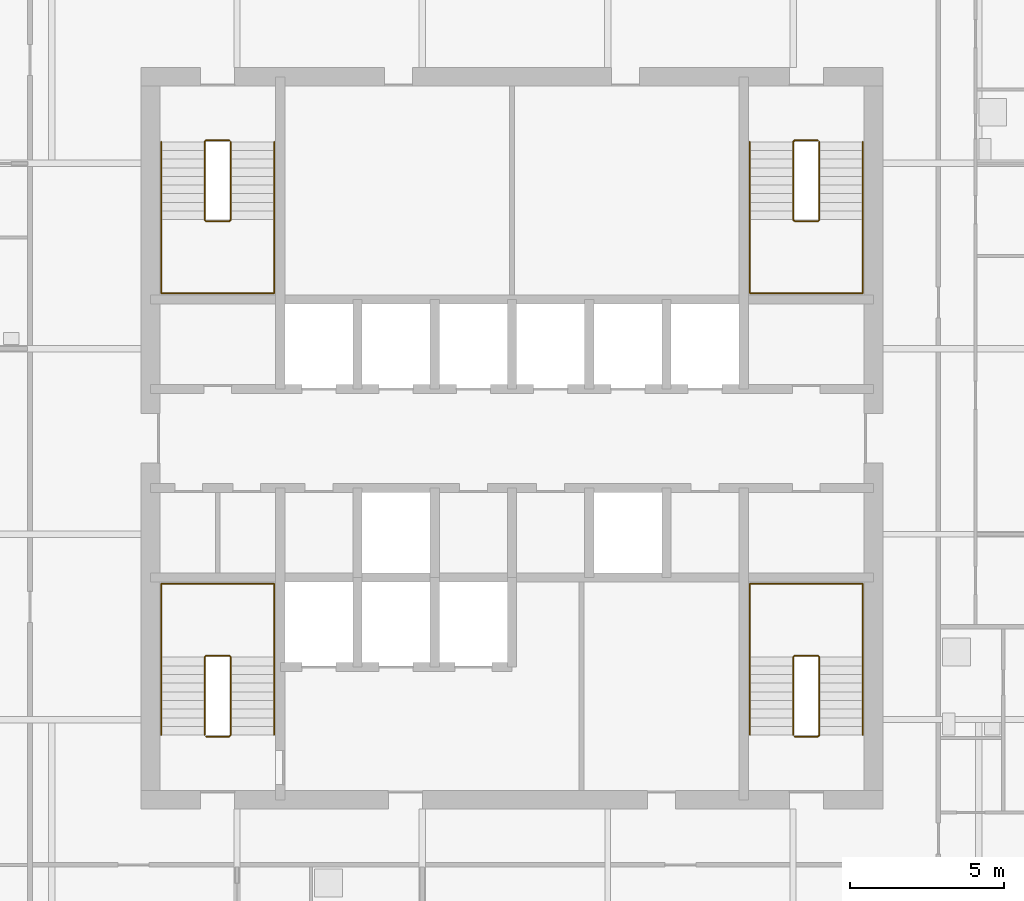
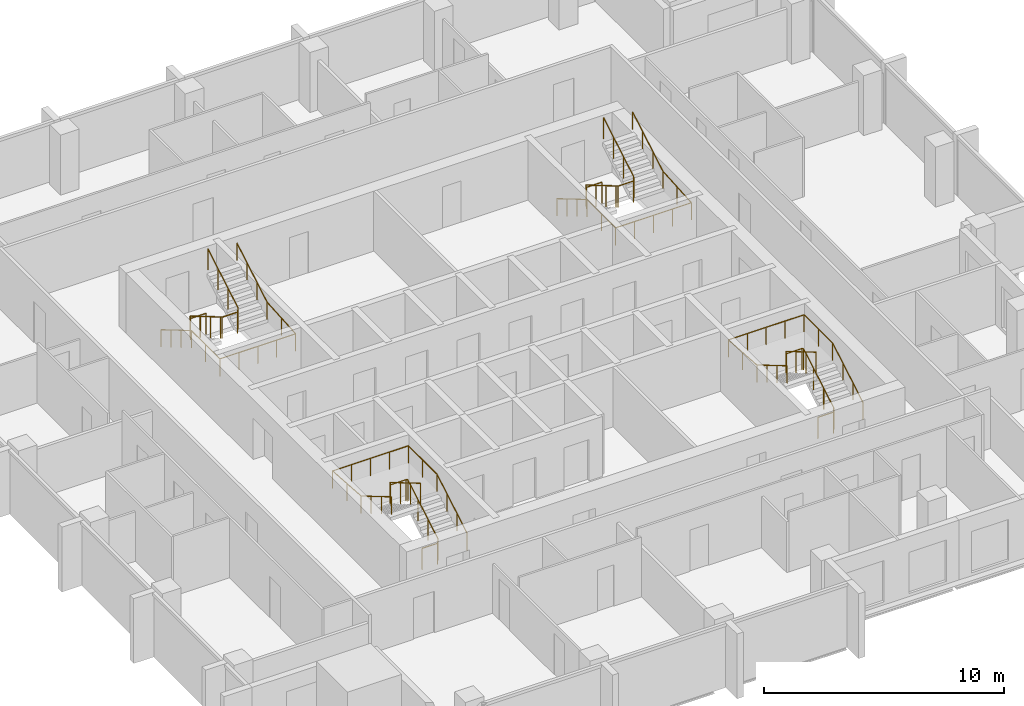
# One storey, part 8 of 9: 8 railings.
"""IFC4 building model written with IfcOpenShell, lengths in metres."""

import ifcopenshell
import ifcopenshell.guid

model = None  # the IFC model being written
_history = None  # IfcOwnerHistory: only IFC2X3 demands one
_inside = {}  # id of a spatial element -> (the spatial element, [elements in it])
_under = {}  # id of a project, library or spatial element -> (it, [spatial elements below it])
_declared = {}  # id of a project -> (the project, [libraries it declares])
_typed = {}  # id of a type object -> (the type object, [elements of that type])
_made_of = {}  # id of a material, layer set ... -> (it, [elements and type objects made of it])


def new_model(schema):
    """Start an empty IFC model of exactly this schema.

    Asked for "IFC4X3", IfcOpenShell would pick the latest addendum, in which some entities
    have other attributes; the version numbers below select the first issue.
    IFC2X3 requires an IfcOwnerHistory on every rooted entity: one is made here for all.
    """
    global model, _history
    if schema == "IFC4X3":
        model = ifcopenshell.file(schema_version=(4, 3, 0, 0))
    else:
        model = ifcopenshell.file(schema=schema)
    _inside.clear()
    _under.clear()
    _declared.clear()
    _typed.clear()
    _made_of.clear()
    _history = None
    if model.schema == "IFC2X3":
        org = make("IfcOrganization", Name="unknown")
        user = make(
            "IfcPersonAndOrganization",
            ThePerson=make("IfcPerson", FamilyName="unknown"),
            TheOrganization=org,
        )
        app = make(
            "IfcApplication",
            ApplicationDeveloper=org,
            Version="unknown",
            ApplicationFullName="unknown",
            ApplicationIdentifier="unknown",
        )
        _history = make(
            "IfcOwnerHistory",
            OwningUser=user,
            OwningApplication=app,
            ChangeAction="ADDED",
            CreationDate=0,
        )
    return model


def make(cls, **values):
    """One entity of the class cls with the attributes given. An attribute that is None is left unset."""
    return model.create_entity(
        cls, **{name: value for name, value in values.items() if value is not None}
    )


def rooted(cls, **values):
    """An entity with a GlobalId (a new one), such as an element, a storey or a relation."""
    return make(cls, GlobalId=ifcopenshell.guid.new(), OwnerHistory=_history, **values)


def si_unit(unit_type, name, prefix=None):
    """IfcSIUnit, for example si_unit("LENGTHUNIT", "METRE", prefix="MILLI")."""
    return make("IfcSIUnit", UnitType=unit_type, Prefix=prefix, Name=name)


def assignment(units):
    """IfcUnitAssignment: the units of a project."""
    return None if units is None else make("IfcUnitAssignment", Units=units)


def point(xyz):
    """IfcCartesianPoint."""
    return None if xyz is None else make("IfcCartesianPoint", Coordinates=xyz)


def direction(xyz):
    """IfcDirection."""
    return None if xyz is None else make("IfcDirection", DirectionRatios=xyz)


def frame(location, z_axis=None, x_axis=None):
    """IfcAxis2Placement3D, a coordinate frame: its origin and axes. An axis left out is left unset."""
    return make(
        "IfcAxis2Placement3D",
        Location=point(location),
        Axis=direction(z_axis),
        RefDirection=direction(x_axis),
    )


def frame_2d(location, x_axis=None):
    """IfcAxis2Placement2D, a coordinate frame in the plane: its origin and x axis."""
    return make(
        "IfcAxis2Placement2D", Location=point(location), RefDirection=direction(x_axis)
    )


def origin():
    """The frame at (0, 0, 0) with its axes left unset."""
    return frame((0.0, 0.0, 0.0))


def origin_2d():
    """The frame at (0, 0) in the plane with its x axis left unset."""
    return frame_2d((0.0, 0.0))


def place(relative_to, where):
    """IfcLocalPlacement: puts the frame where relative to a parent placement (None: the world)."""
    return make(
        "IfcLocalPlacement", PlacementRelTo=relative_to, RelativePlacement=where
    )


def context(
    kind, dimensions, precision=None, world=None, true_north=None, identifier=None
):
    """IfcGeometricRepresentationContext, for example the 3D "Model" context."""
    return make(
        "IfcGeometricRepresentationContext",
        ContextIdentifier=identifier,
        ContextType=kind,
        CoordinateSpaceDimension=dimensions,
        Precision=precision,
        WorldCoordinateSystem=world,
        TrueNorth=true_north,
    )


def subcontext(parent, identifier, kind, view, scale=None):
    """IfcGeometricRepresentationSubContext, for example "Body" below "Model"."""
    return make(
        "IfcGeometricRepresentationSubContext",
        ContextIdentifier=identifier,
        ContextType=kind,
        ParentContext=parent,
        TargetScale=scale,
        TargetView=view,
    )


def project(units=None, contexts=None):
    """IfcProject with its units and contexts."""
    return rooted(
        "IfcProject",
        Name="project",
        RepresentationContexts=contexts,
        UnitsInContext=assignment(units),
    )


def spatial(cls, under=None, at=None, **own):
    """A site, building, storey or space (cls), placed at a placement, below another one or the project."""
    s = rooted(cls, ObjectPlacement=at, **own)
    if under is not None:
        _under.setdefault(under.id(), (under, []))[1].append(s)
    return s


def profile(cls, at=None, kind="AREA", **sizes):
    """A parametric profile (cls). Its sizes go by their IFC names, for example OverallWidth=200.0."""
    return make(cls, ProfileType=kind, Position=at, **sizes)


def circle(**sizes):
    """IfcCircleProfileDef."""
    return profile("IfcCircleProfileDef", **sizes)


def extrude(swept, where, along, depth):
    """IfcExtrudedAreaSolid: the profile swept, set in the frame where, extruded along a direction by depth."""
    return make(
        "IfcExtrudedAreaSolid",
        SweptArea=swept,
        Position=where,
        ExtrudedDirection=direction(along),
        Depth=depth,
    )


def shape(context_of_items, identifier, shape_type, items):
    """IfcShapeRepresentation: the items that make up one representation, for example the "Body"."""
    return make(
        "IfcShapeRepresentation",
        ContextOfItems=context_of_items,
        RepresentationIdentifier=identifier,
        RepresentationType=shape_type,
        Items=items,
    )


def material(Name=None, Category=None):
    """IfcMaterial."""
    return make("IfcMaterial", Name=Name, Category=Category)


def made_of(thing, what):
    """Note that an element or type object is made of a material, layer set ...; save() writes the relation."""
    if what is not None:
        _made_of.setdefault(what.id(), (what, []))[1].append(thing)
    return thing


def type_object(cls, material=None, **own):
    """A type object (cls), such as IfcWallType, which elements share."""
    return made_of(rooted(cls, **own), material)


def element(
    cls,
    number,
    at=None,
    inside=None,
    cuts=None,
    type_object=None,
    material=None,
    context=None,
    identifier="Body",
    shape_type=None,
    held_by="IfcProductDefinitionShape",
    body=None,
    shapes=None,
    **own,
):
    """One element of the class cls, such as IfcWall. Its Tag is "e" and its number.

    at: its placement. inside: the storey or other place that contains it. cuts: it is an
    opening in that element (IfcRelVoidsElement). A single representation is given by context,
    identifier, shape_type and body (its items); several are given by shapes. held_by: the class
    of the entity that holds the representations. save() writes the other relations.
    """
    e = rooted(cls, Tag="e%d" % number, ObjectPlacement=at, **own)
    if body is not None:
        shapes = [shape(context, identifier, shape_type, body)]
    if shapes is not None:
        e.Representation = make(held_by, Representations=shapes)
    if inside is not None:
        _inside.setdefault(inside.id(), (inside, []))[1].append(e)
    if cuts is not None:
        rooted(
            "IfcRelVoidsElement", RelatingBuildingElement=cuts, RelatedOpeningElement=e
        )
    if type_object is not None:
        _typed.setdefault(type_object.id(), (type_object, []))[1].append(e)
    return made_of(e, material)


def aggregate(whole, parts):
    """IfcRelAggregates: a whole, such as a stair, and the parts it consists of."""
    return rooted("IfcRelAggregates", RelatingObject=whole, RelatedObjects=parts)


def save(model, path):
    """Write the relations noted so far, then the file.

    IfcRelAggregates (storeys below a building ...), IfcRelContainedInSpatialStructure (elements
    in a storey), IfcRelDefinesByType, IfcRelAssociatesMaterial and IfcRelDeclares: one each for
    every whole, place, type object, material and project.
    """
    for whole, parts in _under.values():
        aggregate(whole, parts)
    for where, things in _inside.values():
        rooted(
            "IfcRelContainedInSpatialStructure",
            RelatedElements=things,
            RelatingStructure=where,
        )
    for kind, things in _typed.values():
        rooted("IfcRelDefinesByType", RelatedObjects=things, RelatingType=kind)
    for what, things in _made_of.values():
        rooted("IfcRelAssociatesMaterial", RelatedObjects=things, RelatingMaterial=what)
    for by, libraries in _declared.values():
        rooted("IfcRelDeclares", RelatingContext=by, RelatedDefinitions=libraries)
    model.write(path)


model = new_model("IFC4")

# Units and contexts
model_context = context("Model", 3, precision=1e-05, world=origin(), true_north=direction((0.0, 1.0)))
body_context = subcontext(model_context, "Body", "Model", "MODEL_VIEW")
ifc_project = project(units=[si_unit("LENGTHUNIT", "METRE"), si_unit("AREAUNIT", "SQUARE_METRE"), si_unit("VOLUMEUNIT", "CUBIC_METRE"), si_unit("PLANEANGLEUNIT", "RADIAN"), si_unit("MASSUNIT", "GRAM", prefix="KILO")], contexts=[model_context])

# Site, building, storey
site_placement = place(None, origin())
site = spatial("IfcSite", under=ifc_project, at=site_placement, CompositionType="ELEMENT")
building_placement = place(site_placement, origin())
building = spatial("IfcBuilding", under=site, at=building_placement, Name="Amberfall Residences", CompositionType="ELEMENT")
storey_placement = place(building_placement, frame((0.0, 0.0, 210.10009765625)))
storey = spatial("IfcBuildingStorey", under=building, at=storey_placement, Name="L56", CompositionType="ELEMENT", Elevation=210.10009765625)

# Railings
ifc_material = material(Name="Stainless steel 316", Category="steel")
railing_type_1 = type_object("IfcRailingType", Name="Stair guard 1100", PredefinedType="GUARDRAIL", material=ifc_material)
railing_1_placement = place(storey_placement, frame((64.60009765625, 35.85009765625, 0.0)))
element("IfcRailing", 1, at=railing_1_placement, inside=storey, type_object=railing_type_1, Name="L56 stair 1 guard", PredefinedType="GUARDRAIL", context=body_context, shape_type="SweptSolid", body=[
    extrude(circle(Radius=0.02392578125, at=origin_2d()), frame((0.0, 0.0, 1.076171875), z_axis=(1.0, 0.0, 0.0), x_axis=(0.0, 1.0, 0.0)), (0.0, 0.0, 1.0), 0.75),
    extrude(circle(Radius=0.02392578125, at=origin_2d()), frame((0.75, 0.0, 1.076171875), z_axis=(0.277903107438, 0.277903107438, 0.919532340787), x_axis=(-0.707106781187, 0.707106781187, 0.0)), (0.0, 0.0, 1.0), 0.17919921875),
    extrude(circle(Radius=0.02392578125, at=origin_2d()), frame((0.7998046875, 0.0498046875, 1.24072265625), z_axis=(0.0, 0.86152411907, 0.507716645641), x_axis=(-1.0, 0.0, 0.0)), (0.0, 0.0, 1.0), 2.925048828125),
    extrude(circle(Radius=0.02392578125, at=origin_2d()), frame((0.7998046875, 2.56982421875, 2.72607421875), z_axis=(-0.705375805398, 0.708833529934, 0.0), x_axis=(-0.708833529934, -0.705375805398, 0.0)), (0.0, 0.0, 1.0), 0.070556640625),
    extrude(circle(Radius=0.02392578125, at=origin_2d()), frame((0.75, 2.619873046875, 2.72607421875), z_axis=(-1.0, 0.0, 0.0), x_axis=(0.0, -1.0, 0.0)), (0.0, 0.0, 1.0), 0.75),
    extrude(circle(Radius=0.02392578125, at=origin_2d()), frame((0.0, 2.619873046875, 2.72607421875), z_axis=(-0.278705021027, -0.278705021027, 0.919046801044), x_axis=(0.707106781187, -0.707106781187, 0.0)), (0.0, 0.0, 1.0), 0.1796875),
    extrude(circle(Radius=0.02392578125, at=origin_2d()), frame((-0.050048828125, 2.56982421875, 2.89111328125), z_axis=(0.0, -0.861560626758, 0.507654692109), x_axis=(1.0, 0.0, 0.0)), (0.0, 0.0, 1.0), 2.925048828125),
    extrude(circle(Radius=0.02099609375, at=origin_2d()), origin(), (0.0, 0.0, 1.0), 1.052001953125),
    extrude(circle(Radius=0.02099609375, at=origin_2d()), frame((0.75, 0.0, 0.0)), (0.0, 0.0, 1.0), 1.052001953125),
    extrude(circle(Radius=0.02099609375, at=origin_2d()), frame((0.7998046875, 0.0498046875, 0.164794921875)), (0.0, 0.0, 1.0), 1.052001953125),
    extrude(circle(Radius=0.02099609375, at=origin_2d()), frame((0.7998046875, 0.889892578125, 0.659912109375)), (0.0, 0.0, 1.0), 1.052001953125),
    extrude(circle(Radius=0.02099609375, at=origin_2d()), frame((0.7998046875, 1.729736328125, 1.15478515625)), (0.0, 0.0, 1.0), 1.052001953125),
    extrude(circle(Radius=0.02099609375, at=origin_2d()), frame((0.7998046875, 2.56982421875, 1.64990234375)), (0.0, 0.0, 1.0), 1.052001953125),
    extrude(circle(Radius=0.02099609375, at=origin_2d()), frame((0.75, 2.619873046875, 1.64990234375)), (0.0, 0.0, 1.0), 1.052001953125),
    extrude(circle(Radius=0.02099609375, at=origin_2d()), frame((0.0, 2.619873046875, 1.64990234375)), (0.0, 0.0, 1.0), 1.052001953125),
    extrude(circle(Radius=0.02099609375, at=origin_2d()), frame((-0.050048828125, 2.56982421875, 1.81494140625)), (0.0, 0.0, 1.0), 1.052001953125),
    extrude(circle(Radius=0.02099609375, at=origin_2d()), frame((-0.050048828125, 1.729736328125, 2.309814453125)), (0.0, 0.0, 1.0), 1.052001953125),
    extrude(circle(Radius=0.02099609375, at=origin_2d()), frame((-0.050048828125, 0.889892578125, 2.804931640625)), (0.0, 0.0, 1.0), 1.052001953125),
    extrude(circle(Radius=0.02099609375, at=origin_2d()), frame((-0.050048828125, 0.0498046875, 3.2998046875)), (0.0, 0.0, 1.0), 1.052001953125),
])
railing_2_placement = place(storey_placement, frame((83.64990234375, 35.85009765625, 0.0)))
element("IfcRailing", 2, at=railing_2_placement, inside=storey, type_object=railing_type_1, Name="L56 stair 2 guard", PredefinedType="GUARDRAIL", context=body_context, shape_type="SweptSolid", body=[
    extrude(circle(Radius=0.02392578125, at=origin_2d()), frame((0.0, 0.0, 1.076171875), z_axis=(1.0, 0.0, 0.0), x_axis=(0.0, 1.0, 0.0)), (0.0, 0.0, 1.0), 0.75),
    extrude(circle(Radius=0.02392578125, at=origin_2d()), frame((0.75, 0.0, 1.076171875), z_axis=(0.279159454702, 0.277797701265, 0.919183570361), x_axis=(-0.705375805398, 0.708833529934, 0.0)), (0.0, 0.0, 1.0), 0.17919921875),
    extrude(circle(Radius=0.02392578125, at=origin_2d()), frame((0.800048828125, 0.0498046875, 1.24072265625), z_axis=(0.0, 0.86152411907, 0.507716645641), x_axis=(-1.0, 0.0, 0.0)), (0.0, 0.0, 1.0), 2.925048828125),
    extrude(circle(Radius=0.02392578125, at=origin_2d()), frame((0.800048828125, 2.56982421875, 2.72607421875), z_axis=(-0.707106781187, 0.707106781187, 0.0), x_axis=(-0.707106781187, -0.707106781187, 0.0)), (0.0, 0.0, 1.0), 0.07080078125),
    extrude(circle(Radius=0.02392578125, at=origin_2d()), frame((0.75, 2.619873046875, 2.72607421875), z_axis=(-1.0, 0.0, 0.0), x_axis=(0.0, -1.0, 0.0)), (0.0, 0.0, 1.0), 0.75),
    extrude(circle(Radius=0.02392578125, at=origin_2d()), frame((0.0, 2.619873046875, 2.72607421875), z_axis=(-0.277450376394, -0.278810427259, 0.919394384522), x_axis=(0.708833529934, -0.705375805398, 0.0)), (0.0, 0.0, 1.0), 0.179443359375),
    extrude(circle(Radius=0.02392578125, at=origin_2d()), frame((-0.0498046875, 2.56982421875, 2.89111328125), z_axis=(0.0, -0.861560626758, 0.507654692109), x_axis=(1.0, 0.0, 0.0)), (0.0, 0.0, 1.0), 2.925048828125),
    extrude(circle(Radius=0.02099609375, at=origin_2d()), origin(), (0.0, 0.0, 1.0), 1.052001953125),
    extrude(circle(Radius=0.02099609375, at=origin_2d()), frame((0.75, 0.0, 0.0)), (0.0, 0.0, 1.0), 1.052001953125),
    extrude(circle(Radius=0.02099609375, at=origin_2d()), frame((0.800048828125, 0.0498046875, 0.164794921875)), (0.0, 0.0, 1.0), 1.052001953125),
    extrude(circle(Radius=0.02099609375, at=origin_2d()), frame((0.800048828125, 0.889892578125, 0.659912109375)), (0.0, 0.0, 1.0), 1.052001953125),
    extrude(circle(Radius=0.02099609375, at=origin_2d()), frame((0.800048828125, 1.729736328125, 1.15478515625)), (0.0, 0.0, 1.0), 1.052001953125),
    extrude(circle(Radius=0.02099609375, at=origin_2d()), frame((0.800048828125, 2.56982421875, 1.64990234375)), (0.0, 0.0, 1.0), 1.052001953125),
    extrude(circle(Radius=0.02099609375, at=origin_2d()), frame((0.75, 2.619873046875, 1.64990234375)), (0.0, 0.0, 1.0), 1.052001953125),
    extrude(circle(Radius=0.02099609375, at=origin_2d()), frame((0.0, 2.619873046875, 1.64990234375)), (0.0, 0.0, 1.0), 1.052001953125),
    extrude(circle(Radius=0.02099609375, at=origin_2d()), frame((-0.0498046875, 2.56982421875, 1.81494140625)), (0.0, 0.0, 1.0), 1.052001953125),
    extrude(circle(Radius=0.02099609375, at=origin_2d()), frame((-0.0498046875, 1.729736328125, 2.309814453125)), (0.0, 0.0, 1.0), 1.052001953125),
    extrude(circle(Radius=0.02099609375, at=origin_2d()), frame((-0.0498046875, 0.889892578125, 2.804931640625)), (0.0, 0.0, 1.0), 1.052001953125),
    extrude(circle(Radius=0.02099609375, at=origin_2d()), frame((-0.0498046875, 0.0498046875, 3.2998046875)), (0.0, 0.0, 1.0), 1.052001953125),
])
railing_3_placement = place(storey_placement, frame((84.39990234375, 55.14990234375, 0.0)))
element("IfcRailing", 3, at=railing_3_placement, inside=storey, type_object=railing_type_1, Name="L56 stair 3 guard", PredefinedType="GUARDRAIL", context=body_context, shape_type="SweptSolid", body=[
    extrude(circle(Radius=0.02392578125, at=origin_2d()), frame((0.0, 0.0, 1.076171875), z_axis=(-1.0, 0.0, 0.0), x_axis=(0.0, -1.0, 0.0)), (0.0, 0.0, 1.0), 0.75),
    extrude(circle(Radius=0.02392578125, at=origin_2d()), frame((-0.75, 0.0, 1.076171875), z_axis=(-0.277903107438, -0.277903107438, 0.919532340787), x_axis=(0.707106781187, -0.707106781187, 0.0)), (0.0, 0.0, 1.0), 0.17919921875),
    extrude(circle(Radius=0.02392578125, at=origin_2d()), frame((-0.7998046875, -0.0498046875, 1.24072265625), z_axis=(0.0, -0.86152411907, 0.507716645641), x_axis=(1.0, 0.0, 0.0)), (0.0, 0.0, 1.0), 2.925048828125),
    extrude(circle(Radius=0.02392578125, at=origin_2d()), frame((-0.7998046875, -2.56982421875, 2.72607421875), z_axis=(0.705375805398, -0.708833529934, 0.0), x_axis=(0.708833529934, 0.705375805398, 0.0)), (0.0, 0.0, 1.0), 0.070556640625),
    extrude(circle(Radius=0.02392578125, at=origin_2d()), frame((-0.75, -2.619873046875, 2.72607421875), z_axis=(1.0, 0.0, 0.0), x_axis=(0.0, 1.0, 0.0)), (0.0, 0.0, 1.0), 0.75),
    extrude(circle(Radius=0.02392578125, at=origin_2d()), frame((0.0, -2.619873046875, 2.72607421875), z_axis=(0.278705021027, 0.278705021027, 0.919046801044), x_axis=(-0.707106781187, 0.707106781187, 0.0)), (0.0, 0.0, 1.0), 0.1796875),
    extrude(circle(Radius=0.02392578125, at=origin_2d()), frame((0.050048828125, -2.56982421875, 2.89111328125), z_axis=(0.0, 0.861560626758, 0.507654692109), x_axis=(-1.0, 0.0, 0.0)), (0.0, 0.0, 1.0), 2.925048828125),
    extrude(circle(Radius=0.02099609375, at=origin_2d()), origin(), (0.0, 0.0, 1.0), 1.052001953125),
    extrude(circle(Radius=0.02099609375, at=origin_2d()), frame((-0.75, 0.0, 0.0)), (0.0, 0.0, 1.0), 1.052001953125),
    extrude(circle(Radius=0.02099609375, at=origin_2d()), frame((-0.7998046875, -0.0498046875, 0.164794921875)), (0.0, 0.0, 1.0), 1.052001953125),
    extrude(circle(Radius=0.02099609375, at=origin_2d()), frame((-0.7998046875, -0.889892578125, 0.659912109375)), (0.0, 0.0, 1.0), 1.052001953125),
    extrude(circle(Radius=0.02099609375, at=origin_2d()), frame((-0.7998046875, -1.729736328125, 1.15478515625)), (0.0, 0.0, 1.0), 1.052001953125),
    extrude(circle(Radius=0.02099609375, at=origin_2d()), frame((-0.7998046875, -2.56982421875, 1.64990234375)), (0.0, 0.0, 1.0), 1.052001953125),
    extrude(circle(Radius=0.02099609375, at=origin_2d()), frame((-0.75, -2.619873046875, 1.64990234375)), (0.0, 0.0, 1.0), 1.052001953125),
    extrude(circle(Radius=0.02099609375, at=origin_2d()), frame((0.0, -2.619873046875, 1.64990234375)), (0.0, 0.0, 1.0), 1.052001953125),
    extrude(circle(Radius=0.02099609375, at=origin_2d()), frame((0.050048828125, -2.56982421875, 1.81494140625)), (0.0, 0.0, 1.0), 1.052001953125),
    extrude(circle(Radius=0.02099609375, at=origin_2d()), frame((0.050048828125, -1.729736328125, 2.309814453125)), (0.0, 0.0, 1.0), 1.052001953125),
    extrude(circle(Radius=0.02099609375, at=origin_2d()), frame((0.050048828125, -0.889892578125, 2.804931640625)), (0.0, 0.0, 1.0), 1.052001953125),
    extrude(circle(Radius=0.02099609375, at=origin_2d()), frame((0.050048828125, -0.0498046875, 3.2998046875)), (0.0, 0.0, 1.0), 1.052001953125),
])
railing_4_placement = place(storey_placement, frame((65.35009765625, 55.14990234375, 0.0)))
element("IfcRailing", 4, at=railing_4_placement, inside=storey, type_object=railing_type_1, Name="L56 stair 4 guard", PredefinedType="GUARDRAIL", context=body_context, shape_type="SweptSolid", body=[
    extrude(circle(Radius=0.02392578125, at=origin_2d()), frame((0.0, 0.0, 1.076171875), z_axis=(-1.0, 0.0, 0.0), x_axis=(0.0, -1.0, 0.0)), (0.0, 0.0, 1.0), 0.75),
    extrude(circle(Radius=0.02392578125, at=origin_2d()), frame((-0.75, 0.0, 1.076171875), z_axis=(-0.279159454702, -0.277797701265, 0.919183570361), x_axis=(0.705375805398, -0.708833529934, 0.0)), (0.0, 0.0, 1.0), 0.17919921875),
    extrude(circle(Radius=0.02392578125, at=origin_2d()), frame((-0.800048828125, -0.0498046875, 1.24072265625), z_axis=(0.0, -0.86152411907, 0.507716645641), x_axis=(1.0, 0.0, 0.0)), (0.0, 0.0, 1.0), 2.925048828125),
    extrude(circle(Radius=0.02392578125, at=origin_2d()), frame((-0.800048828125, -2.56982421875, 2.72607421875), z_axis=(0.707106781187, -0.707106781187, 0.0), x_axis=(0.707106781187, 0.707106781187, 0.0)), (0.0, 0.0, 1.0), 0.07080078125),
    extrude(circle(Radius=0.02392578125, at=origin_2d()), frame((-0.75, -2.619873046875, 2.72607421875), z_axis=(1.0, 0.0, 0.0), x_axis=(0.0, 1.0, 0.0)), (0.0, 0.0, 1.0), 0.75),
    extrude(circle(Radius=0.02392578125, at=origin_2d()), frame((0.0, -2.619873046875, 2.72607421875), z_axis=(0.277450376394, 0.278810427259, 0.919394384522), x_axis=(-0.708833529934, 0.705375805398, 0.0)), (0.0, 0.0, 1.0), 0.179443359375),
    extrude(circle(Radius=0.02392578125, at=origin_2d()), frame((0.0498046875, -2.56982421875, 2.89111328125), z_axis=(0.0, 0.861560626758, 0.507654692109), x_axis=(-1.0, 0.0, 0.0)), (0.0, 0.0, 1.0), 2.925048828125),
    extrude(circle(Radius=0.02099609375, at=origin_2d()), origin(), (0.0, 0.0, 1.0), 1.052001953125),
    extrude(circle(Radius=0.02099609375, at=origin_2d()), frame((-0.75, 0.0, 0.0)), (0.0, 0.0, 1.0), 1.052001953125),
    extrude(circle(Radius=0.02099609375, at=origin_2d()), frame((-0.800048828125, -0.0498046875, 0.164794921875)), (0.0, 0.0, 1.0), 1.052001953125),
    extrude(circle(Radius=0.02099609375, at=origin_2d()), frame((-0.800048828125, -0.889892578125, 0.659912109375)), (0.0, 0.0, 1.0), 1.052001953125),
    extrude(circle(Radius=0.02099609375, at=origin_2d()), frame((-0.800048828125, -1.729736328125, 1.15478515625)), (0.0, 0.0, 1.0), 1.052001953125),
    extrude(circle(Radius=0.02099609375, at=origin_2d()), frame((-0.800048828125, -2.56982421875, 1.64990234375)), (0.0, 0.0, 1.0), 1.052001953125),
    extrude(circle(Radius=0.02099609375, at=origin_2d()), frame((-0.75, -2.619873046875, 1.64990234375)), (0.0, 0.0, 1.0), 1.052001953125),
    extrude(circle(Radius=0.02099609375, at=origin_2d()), frame((0.0, -2.619873046875, 1.64990234375)), (0.0, 0.0, 1.0), 1.052001953125),
    extrude(circle(Radius=0.02099609375, at=origin_2d()), frame((0.0498046875, -2.56982421875, 1.81494140625)), (0.0, 0.0, 1.0), 1.052001953125),
    extrude(circle(Radius=0.02099609375, at=origin_2d()), frame((0.0498046875, -1.729736328125, 2.309814453125)), (0.0, 0.0, 1.0), 1.052001953125),
    extrude(circle(Radius=0.02099609375, at=origin_2d()), frame((0.0498046875, -0.889892578125, 2.804931640625)), (0.0, 0.0, 1.0), 1.052001953125),
    extrude(circle(Radius=0.02099609375, at=origin_2d()), frame((0.0498046875, -0.0498046875, 3.2998046875)), (0.0, 0.0, 1.0), 1.052001953125),
])
railing_type_2 = type_object("IfcRailingType", Name="Stair handrail 900", PredefinedType="HANDRAIL", material=ifc_material)
railing_5_placement = place(storey_placement, frame((66.800048828125, 35.89990234375, 0.164794921875)))
element("IfcRailing", 5, at=railing_5_placement, inside=storey, type_object=railing_type_2, Name="L56 stair 1 handrail", PredefinedType="HANDRAIL", context=body_context, shape_type="SweptSolid", body=[
    extrude(circle(Radius=0.02392578125, at=origin_2d()), frame((0.0, 0.0, 0.8759765625), z_axis=(0.0, 0.86152411907, 0.507716645641), x_axis=(-1.0, 0.0, 0.0)), (0.0, 0.0, 1.0), 2.925048828125),
    extrude(circle(Radius=0.02392578125, at=origin_2d()), frame((0.0, 2.52001953125, 2.36083984375), z_axis=(0.0, 1.0, 0.0), x_axis=(-1.0, 0.0, 0.0)), (0.0, 0.0, 1.0), 2.380126953125),
    extrude(circle(Radius=0.02392578125, at=origin_2d()), frame((0.0, 4.900146484375, 2.36083984375), z_axis=(-1.0, 0.0, 0.0), x_axis=(0.0, -1.0, 0.0)), (0.0, 0.0, 1.0), 3.650146484375),
    extrude(circle(Radius=0.02392578125, at=origin_2d()), frame((-3.650146484375, 4.900146484375, 2.36083984375), z_axis=(0.0, -0.997604585917, 0.069174346095), x_axis=(1.0, 0.0, 0.0)), (0.0, 0.0, 1.0), 2.3857421875),
    extrude(circle(Radius=0.02392578125, at=origin_2d()), frame((-3.650146484375, 2.52001953125, 2.52587890625), z_axis=(0.0, -0.861560626758, 0.507654692109), x_axis=(1.0, 0.0, 0.0)), (0.0, 0.0, 1.0), 2.925048828125),
    extrude(circle(Radius=0.02099609375, at=origin_2d()), origin(), (0.0, 0.0, 1.0), 0.851806640625),
    extrude(circle(Radius=0.02099609375, at=origin_2d()), frame((0.0, 0.840087890625, 0.4951171875)), (0.0, 0.0, 1.0), 0.851806640625),
    extrude(circle(Radius=0.02099609375, at=origin_2d()), frame((0.0, 1.679931640625, 0.989990234375)), (0.0, 0.0, 1.0), 0.851806640625),
    extrude(circle(Radius=0.02099609375, at=origin_2d()), frame((0.0, 2.52001953125, 1.485107421875)), (0.0, 0.0, 1.0), 0.851806640625),
    extrude(circle(Radius=0.02099609375, at=origin_2d()), frame((0.0, 3.7099609375, 1.485107421875)), (0.0, 0.0, 1.0), 0.851806640625),
    extrude(circle(Radius=0.02099609375, at=origin_2d()), frame((0.0, 4.900146484375, 1.485107421875)), (0.0, 0.0, 1.0), 0.851806640625),
    extrude(circle(Radius=0.02099609375, at=origin_2d()), frame((-0.91259765625, 4.900146484375, 1.485107421875)), (0.0, 0.0, 1.0), 0.851806640625),
    extrude(circle(Radius=0.02099609375, at=origin_2d()), frame((-1.8251953125, 4.900146484375, 1.485107421875)), (0.0, 0.0, 1.0), 0.851806640625),
    extrude(circle(Radius=0.02099609375, at=origin_2d()), frame((-2.737548828125, 4.900146484375, 1.485107421875)), (0.0, 0.0, 1.0), 0.851806640625),
    extrude(circle(Radius=0.02099609375, at=origin_2d()), frame((-3.650146484375, 4.900146484375, 1.485107421875)), (0.0, 0.0, 1.0), 0.851806640625),
    extrude(circle(Radius=0.02099609375, at=origin_2d()), frame((-3.650146484375, 3.7099609375, 1.567626953125)), (0.0, 0.0, 1.0), 0.851806640625),
    extrude(circle(Radius=0.02099609375, at=origin_2d()), frame((-3.650146484375, 2.52001953125, 1.650146484375)), (0.0, 0.0, 1.0), 0.851806640625),
    extrude(circle(Radius=0.02099609375, at=origin_2d()), frame((-3.650146484375, 1.679931640625, 2.14501953125)), (0.0, 0.0, 1.0), 0.851806640625),
    extrude(circle(Radius=0.02099609375, at=origin_2d()), frame((-3.650146484375, 0.840087890625, 2.64013671875)), (0.0, 0.0, 1.0), 0.851806640625),
    extrude(circle(Radius=0.02099609375, at=origin_2d()), frame((-3.650146484375, 0.0, 3.135009765625)), (0.0, 0.0, 1.0), 0.851806640625),
])
railing_6_placement = place(storey_placement, frame((85.85009765625, 35.89990234375, 0.164794921875)))
element("IfcRailing", 6, at=railing_6_placement, inside=storey, type_object=railing_type_2, Name="L56 stair 2 handrail", PredefinedType="HANDRAIL", context=body_context, shape_type="SweptSolid", body=[
    extrude(circle(Radius=0.02392578125, at=origin_2d()), frame((0.0, 0.0, 0.8759765625), z_axis=(0.0, 0.86152411907, 0.507716645641), x_axis=(-1.0, 0.0, 0.0)), (0.0, 0.0, 1.0), 2.925048828125),
    extrude(circle(Radius=0.02392578125, at=origin_2d()), frame((0.0, 2.52001953125, 2.36083984375), z_axis=(0.0, 1.0, 0.0), x_axis=(-1.0, 0.0, 0.0)), (0.0, 0.0, 1.0), 2.380126953125),
    extrude(circle(Radius=0.02392578125, at=origin_2d()), frame((0.0, 4.900146484375, 2.36083984375), z_axis=(-1.0, 0.0, 0.0), x_axis=(0.0, -1.0, 0.0)), (0.0, 0.0, 1.0), 3.650146484375),
    extrude(circle(Radius=0.02392578125, at=origin_2d()), frame((-3.650146484375, 4.900146484375, 2.36083984375), z_axis=(0.0, -0.997604585917, 0.069174346095), x_axis=(1.0, 0.0, 0.0)), (0.0, 0.0, 1.0), 2.3857421875),
    extrude(circle(Radius=0.02392578125, at=origin_2d()), frame((-3.650146484375, 2.52001953125, 2.52587890625), z_axis=(0.0, -0.861560626758, 0.507654692109), x_axis=(1.0, 0.0, 0.0)), (0.0, 0.0, 1.0), 2.925048828125),
    extrude(circle(Radius=0.02099609375, at=origin_2d()), origin(), (0.0, 0.0, 1.0), 0.851806640625),
    extrude(circle(Radius=0.02099609375, at=origin_2d()), frame((0.0, 0.840087890625, 0.4951171875)), (0.0, 0.0, 1.0), 0.851806640625),
    extrude(circle(Radius=0.02099609375, at=origin_2d()), frame((0.0, 1.679931640625, 0.989990234375)), (0.0, 0.0, 1.0), 0.851806640625),
    extrude(circle(Radius=0.02099609375, at=origin_2d()), frame((0.0, 2.52001953125, 1.485107421875)), (0.0, 0.0, 1.0), 0.851806640625),
    extrude(circle(Radius=0.02099609375, at=origin_2d()), frame((0.0, 3.7099609375, 1.485107421875)), (0.0, 0.0, 1.0), 0.851806640625),
    extrude(circle(Radius=0.02099609375, at=origin_2d()), frame((0.0, 4.900146484375, 1.485107421875)), (0.0, 0.0, 1.0), 0.851806640625),
    extrude(circle(Radius=0.02099609375, at=origin_2d()), frame((-0.91259765625, 4.900146484375, 1.485107421875)), (0.0, 0.0, 1.0), 0.851806640625),
    extrude(circle(Radius=0.02099609375, at=origin_2d()), frame((-1.8251953125, 4.900146484375, 1.485107421875)), (0.0, 0.0, 1.0), 0.851806640625),
    extrude(circle(Radius=0.02099609375, at=origin_2d()), frame((-2.737548828125, 4.900146484375, 1.485107421875)), (0.0, 0.0, 1.0), 0.851806640625),
    extrude(circle(Radius=0.02099609375, at=origin_2d()), frame((-3.650146484375, 4.900146484375, 1.485107421875)), (0.0, 0.0, 1.0), 0.851806640625),
    extrude(circle(Radius=0.02099609375, at=origin_2d()), frame((-3.650146484375, 3.7099609375, 1.567626953125)), (0.0, 0.0, 1.0), 0.851806640625),
    extrude(circle(Radius=0.02099609375, at=origin_2d()), frame((-3.650146484375, 2.52001953125, 1.650146484375)), (0.0, 0.0, 1.0), 0.851806640625),
    extrude(circle(Radius=0.02099609375, at=origin_2d()), frame((-3.650146484375, 1.679931640625, 2.14501953125)), (0.0, 0.0, 1.0), 0.851806640625),
    extrude(circle(Radius=0.02099609375, at=origin_2d()), frame((-3.650146484375, 0.840087890625, 2.64013671875)), (0.0, 0.0, 1.0), 0.851806640625),
    extrude(circle(Radius=0.02099609375, at=origin_2d()), frame((-3.650146484375, 0.0, 3.135009765625)), (0.0, 0.0, 1.0), 0.851806640625),
])
railing_7_placement = place(storey_placement, frame((82.199951171875, 55.10009765625, 0.164794921875)))
element("IfcRailing", 7, at=railing_7_placement, inside=storey, type_object=railing_type_2, Name="L56 stair 3 handrail", PredefinedType="HANDRAIL", context=body_context, shape_type="SweptSolid", body=[
    extrude(circle(Radius=0.02392578125, at=origin_2d()), frame((0.0, 0.0, 0.8759765625), z_axis=(0.0, -0.86152411907, 0.507716645641), x_axis=(1.0, 0.0, 0.0)), (0.0, 0.0, 1.0), 2.925048828125),
    extrude(circle(Radius=0.02392578125, at=origin_2d()), frame((0.0, -2.52001953125, 2.36083984375), z_axis=(0.0, -1.0, 0.0), x_axis=(1.0, 0.0, 0.0)), (0.0, 0.0, 1.0), 2.380126953125),
    extrude(circle(Radius=0.02392578125, at=origin_2d()), frame((0.0, -4.900146484375, 2.36083984375), z_axis=(1.0, 0.0, 0.0), x_axis=(0.0, 1.0, 0.0)), (0.0, 0.0, 1.0), 3.650146484375),
    extrude(circle(Radius=0.02392578125, at=origin_2d()), frame((3.650146484375, -4.900146484375, 2.36083984375), z_axis=(0.0, 0.997604585917, 0.069174346095), x_axis=(-1.0, 0.0, 0.0)), (0.0, 0.0, 1.0), 2.3857421875),
    extrude(circle(Radius=0.02392578125, at=origin_2d()), frame((3.650146484375, -2.52001953125, 2.52587890625), z_axis=(0.0, 0.861560626758, 0.507654692109), x_axis=(-1.0, 0.0, 0.0)), (0.0, 0.0, 1.0), 2.925048828125),
    extrude(circle(Radius=0.02099609375, at=origin_2d()), origin(), (0.0, 0.0, 1.0), 0.851806640625),
    extrude(circle(Radius=0.02099609375, at=origin_2d()), frame((0.0, -0.840087890625, 0.4951171875)), (0.0, 0.0, 1.0), 0.851806640625),
    extrude(circle(Radius=0.02099609375, at=origin_2d()), frame((0.0, -1.679931640625, 0.989990234375)), (0.0, 0.0, 1.0), 0.851806640625),
    extrude(circle(Radius=0.02099609375, at=origin_2d()), frame((0.0, -2.52001953125, 1.485107421875)), (0.0, 0.0, 1.0), 0.851806640625),
    extrude(circle(Radius=0.02099609375, at=origin_2d()), frame((0.0, -3.7099609375, 1.485107421875)), (0.0, 0.0, 1.0), 0.851806640625),
    extrude(circle(Radius=0.02099609375, at=origin_2d()), frame((0.0, -4.900146484375, 1.485107421875)), (0.0, 0.0, 1.0), 0.851806640625),
    extrude(circle(Radius=0.02099609375, at=origin_2d()), frame((0.91259765625, -4.900146484375, 1.485107421875)), (0.0, 0.0, 1.0), 0.851806640625),
    extrude(circle(Radius=0.02099609375, at=origin_2d()), frame((1.8251953125, -4.900146484375, 1.485107421875)), (0.0, 0.0, 1.0), 0.851806640625),
    extrude(circle(Radius=0.02099609375, at=origin_2d()), frame((2.737548828125, -4.900146484375, 1.485107421875)), (0.0, 0.0, 1.0), 0.851806640625),
    extrude(circle(Radius=0.02099609375, at=origin_2d()), frame((3.650146484375, -4.900146484375, 1.485107421875)), (0.0, 0.0, 1.0), 0.851806640625),
    extrude(circle(Radius=0.02099609375, at=origin_2d()), frame((3.650146484375, -3.7099609375, 1.567626953125)), (0.0, 0.0, 1.0), 0.851806640625),
    extrude(circle(Radius=0.02099609375, at=origin_2d()), frame((3.650146484375, -2.52001953125, 1.650146484375)), (0.0, 0.0, 1.0), 0.851806640625),
    extrude(circle(Radius=0.02099609375, at=origin_2d()), frame((3.650146484375, -1.679931640625, 2.14501953125)), (0.0, 0.0, 1.0), 0.851806640625),
    extrude(circle(Radius=0.02099609375, at=origin_2d()), frame((3.650146484375, -0.840087890625, 2.64013671875)), (0.0, 0.0, 1.0), 0.851806640625),
    extrude(circle(Radius=0.02099609375, at=origin_2d()), frame((3.650146484375, 0.0, 3.135009765625)), (0.0, 0.0, 1.0), 0.851806640625),
])
railing_8_placement = place(storey_placement, frame((63.14990234375, 55.10009765625, 0.164794921875)))
element("IfcRailing", 8, at=railing_8_placement, inside=storey, type_object=railing_type_2, Name="L56 stair 4 handrail", PredefinedType="HANDRAIL", context=body_context, shape_type="SweptSolid", body=[
    extrude(circle(Radius=0.02392578125, at=origin_2d()), frame((0.0, 0.0, 0.8759765625), z_axis=(0.0, -0.86152411907, 0.507716645641), x_axis=(1.0, 0.0, 0.0)), (0.0, 0.0, 1.0), 2.925048828125),
    extrude(circle(Radius=0.02392578125, at=origin_2d()), frame((0.0, -2.52001953125, 2.36083984375), z_axis=(0.0, -1.0, 0.0), x_axis=(1.0, 0.0, 0.0)), (0.0, 0.0, 1.0), 2.380126953125),
    extrude(circle(Radius=0.02392578125, at=origin_2d()), frame((0.0, -4.900146484375, 2.36083984375), z_axis=(1.0, 0.0, 0.0), x_axis=(0.0, 1.0, 0.0)), (0.0, 0.0, 1.0), 3.650146484375),
    extrude(circle(Radius=0.02392578125, at=origin_2d()), frame((3.650146484375, -4.900146484375, 2.36083984375), z_axis=(0.0, 0.997604585917, 0.069174346095), x_axis=(-1.0, 0.0, 0.0)), (0.0, 0.0, 1.0), 2.3857421875),
    extrude(circle(Radius=0.02392578125, at=origin_2d()), frame((3.650146484375, -2.52001953125, 2.52587890625), z_axis=(0.0, 0.861560626758, 0.507654692109), x_axis=(-1.0, 0.0, 0.0)), (0.0, 0.0, 1.0), 2.925048828125),
    extrude(circle(Radius=0.02099609375, at=origin_2d()), origin(), (0.0, 0.0, 1.0), 0.851806640625),
    extrude(circle(Radius=0.02099609375, at=origin_2d()), frame((0.0, -0.840087890625, 0.4951171875)), (0.0, 0.0, 1.0), 0.851806640625),
    extrude(circle(Radius=0.02099609375, at=origin_2d()), frame((0.0, -1.679931640625, 0.989990234375)), (0.0, 0.0, 1.0), 0.851806640625),
    extrude(circle(Radius=0.02099609375, at=origin_2d()), frame((0.0, -2.52001953125, 1.485107421875)), (0.0, 0.0, 1.0), 0.851806640625),
    extrude(circle(Radius=0.02099609375, at=origin_2d()), frame((0.0, -3.7099609375, 1.485107421875)), (0.0, 0.0, 1.0), 0.851806640625),
    extrude(circle(Radius=0.02099609375, at=origin_2d()), frame((0.0, -4.900146484375, 1.485107421875)), (0.0, 0.0, 1.0), 0.851806640625),
    extrude(circle(Radius=0.02099609375, at=origin_2d()), frame((0.91259765625, -4.900146484375, 1.485107421875)), (0.0, 0.0, 1.0), 0.851806640625),
    extrude(circle(Radius=0.02099609375, at=origin_2d()), frame((1.8251953125, -4.900146484375, 1.485107421875)), (0.0, 0.0, 1.0), 0.851806640625),
    extrude(circle(Radius=0.02099609375, at=origin_2d()), frame((2.737548828125, -4.900146484375, 1.485107421875)), (0.0, 0.0, 1.0), 0.851806640625),
    extrude(circle(Radius=0.02099609375, at=origin_2d()), frame((3.650146484375, -4.900146484375, 1.485107421875)), (0.0, 0.0, 1.0), 0.851806640625),
    extrude(circle(Radius=0.02099609375, at=origin_2d()), frame((3.650146484375, -3.7099609375, 1.567626953125)), (0.0, 0.0, 1.0), 0.851806640625),
    extrude(circle(Radius=0.02099609375, at=origin_2d()), frame((3.650146484375, -2.52001953125, 1.650146484375)), (0.0, 0.0, 1.0), 0.851806640625),
    extrude(circle(Radius=0.02099609375, at=origin_2d()), frame((3.650146484375, -1.679931640625, 2.14501953125)), (0.0, 0.0, 1.0), 0.851806640625),
    extrude(circle(Radius=0.02099609375, at=origin_2d()), frame((3.650146484375, -0.840087890625, 2.64013671875)), (0.0, 0.0, 1.0), 0.851806640625),
    extrude(circle(Radius=0.02099609375, at=origin_2d()), frame((3.650146484375, 0.0, 3.135009765625)), (0.0, 0.0, 1.0), 0.851806640625),
])

save(model, "model.ifc")
